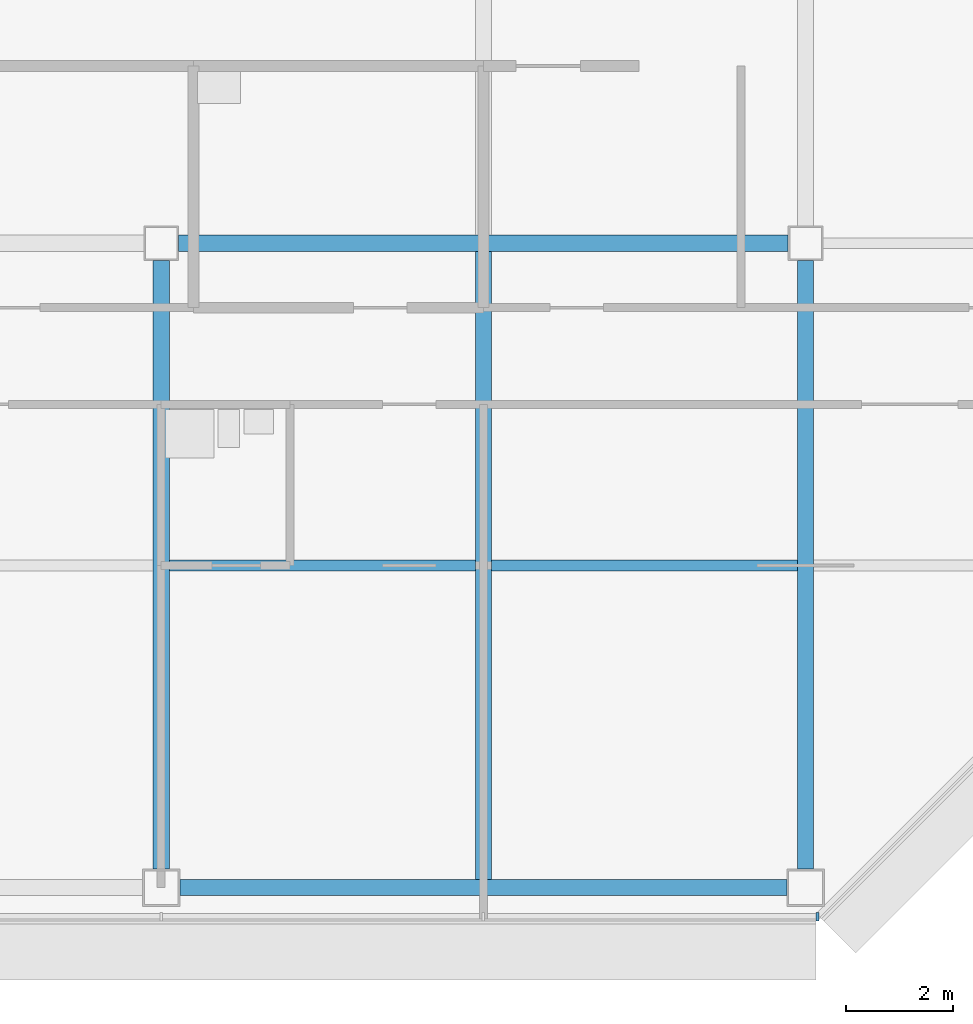
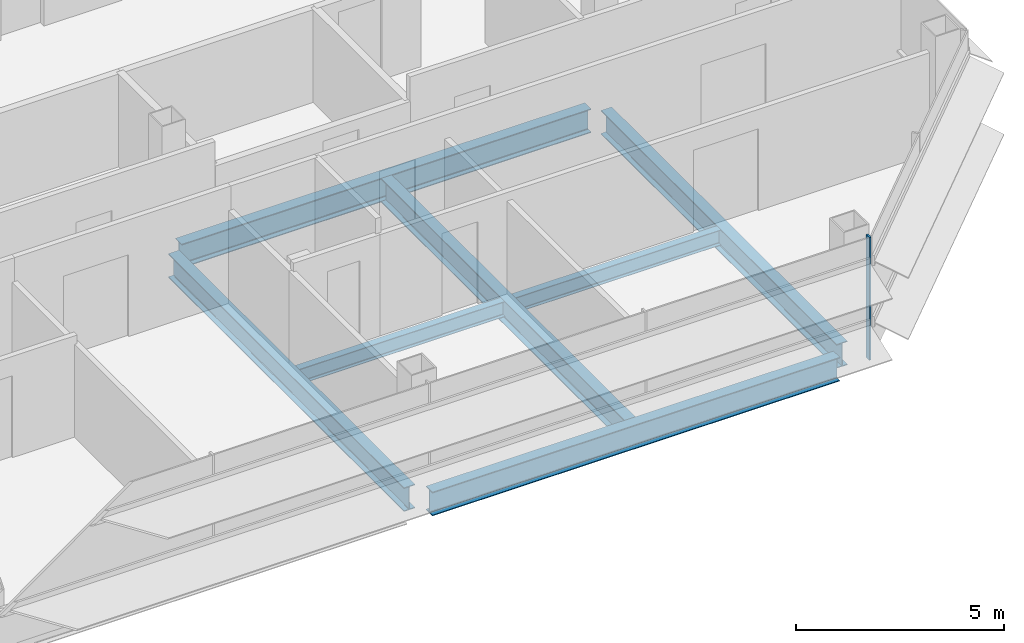
# One storey, part 9 of 27: 7 beams, 1 member, 1 element without a shape of its own.
"""IFC4 building model written with IfcOpenShell, lengths in metres."""

from ifc_helpers import new_model, si_unit, direction, frame, origin, origin_2d, place, context, subcontext, project, spatial, rectangle, i_section, extrude, material, material_profile, profile_set, type_object, element, aggregate, save


model = new_model("IFC4")

# Units and contexts
model_context = context("Model", 3, precision=1e-05, world=origin(), true_north=direction((0.0, 1.0)))
body_context = subcontext(model_context, "Body", "Model", "MODEL_VIEW")
ifc_project = project(units=[si_unit("LENGTHUNIT", "METRE"), si_unit("AREAUNIT", "SQUARE_METRE"), si_unit("VOLUMEUNIT", "CUBIC_METRE"), si_unit("PLANEANGLEUNIT", "RADIAN"), si_unit("MASSUNIT", "GRAM", prefix="KILO")], contexts=[model_context])

# Site, building, storey
site_placement = place(None, origin())
site = spatial("IfcSite", under=ifc_project, at=site_placement, CompositionType="ELEMENT")
building_placement = place(site_placement, origin())
building = spatial("IfcBuilding", under=site, at=building_placement, Name="Sorahane Residences", CompositionType="ELEMENT")
storey_placement = place(building_placement, frame((0.0, 0.0, 195.60009765625)))
storey = spatial("IfcBuildingStorey", under=building, at=storey_placement, Name="L45", CompositionType="ELEMENT", Elevation=195.60009765625)

# Curtain wall, member
ifc_material_1 = material(Name="Dark low-e glass and black anodised aluminium", Category="aluminium")
curtain_wall_type = type_object("IfcCurtainWallType", Name="Curtain wall CW-1 Typical unitised wall", PredefinedType="NOTDEFINED", material=ifc_material_1)
curtain_wall_placement = place(storey_placement, origin())
curtain_wall = element("IfcCurtainWall", 1, at=curtain_wall_placement, inside=storey, type_object=curtain_wall_type, Name="CW-1 curtain wall L45 S1", PredefinedType="NOTDEFINED")
ifc_material_2 = material(Name="Black anodised aluminium", Category="aluminium")
ifc_material_profile_1 = material_profile(ifc_material_2, rectangle(XDim=0.159912109375, YDim=0.050048828125, at=origin_2d()), Name="Curtain wall mullion CW-1 black anodised aluminium 50x160")
ifc_profile_set_1 = profile_set([ifc_material_profile_1], Name="Black anodised aluminium")
member_type = type_object("IfcMemberType", Name="Curtain wall mullion CW-1 black anodised aluminium 50x160", PredefinedType="MULLION", material=ifc_profile_set_1)
member_placement = place(storey_placement, frame((48.2236328125, -0.5400390625, -0.18017578125), z_axis=(0.0, 0.0, 1.0), x_axis=(0.0, -1.0, 0.0)))
member = element("IfcMember", 2, at=member_placement, type_object=member_type, Name="CW-1 mullion L45 S1.10", PredefinedType="MULLION", context=body_context, shape_type="SweptSolid", body=[
    extrude(rectangle(XDim=0.159912109375, YDim=0.050048828125, at=origin_2d()), origin(), (0.0, 0.0, 1.0), 3.60009765625),
])
aggregate(curtain_wall, [member])

# Beams
ifc_material_3 = material(Name="Steel Q355B", Category="steel")
ifc_material_profile_2 = material_profile(ifc_material_3, i_section(OverallWidth=0.199951171875, OverallDepth=0.449951171875, WebThickness=0.009033203125, FlangeThickness=0.013916015625, FilletRadius=0.02001953125, at=origin_2d()), Name="HN 450x200x9x14")
ifc_profile_set_2 = profile_set([ifc_material_profile_2], Name="Steel Q355B")
beam_type_1 = type_object("IfcBeamType", Name="Steel floor beam HN 450x200x9x14 Q355B", PredefinedType="BEAM", material=ifc_profile_set_2)
for number, where, z_axis, x_axis, name in (
    (3, (36.14990234375, 6.0, -0.405029296875), (1.0, 0.0, 0.0), (0.0, 1.0, 0.0), "Beam L45 075"),
    (4, (42.14990234375, 6.0, -0.405029296875), (1.0, 0.0, 0.0), (0.0, 1.0, 0.0), "Beam L45 076"),
):
    element("IfcBeam", number, at=place(storey_placement, frame(where, z_axis=z_axis, x_axis=x_axis)), inside=storey, type_object=beam_type_1, Name=name, PredefinedType="BEAM", context=body_context, shape_type="SweptSolid", body=[
        extrude(i_section(OverallWidth=0.199951171875, OverallDepth=0.449951171875, WebThickness=0.009033203125, FlangeThickness=0.013916015625, FilletRadius=0.02001953125, at=origin_2d()), origin(), (0.0, 0.0, 1.0), 5.7001953125),
    ])
ifc_material_4 = material(Name="Steel Q355B", Category="steel")
ifc_material_profile_3 = material_profile(ifc_material_4, i_section(OverallWidth=0.300048828125, OverallDepth=0.699951171875, WebThickness=0.012939453125, FlangeThickness=0.02392578125, FilletRadius=0.028076171875, at=origin_2d()), Name="HN 700x300x13x24")
ifc_profile_set_3 = profile_set([ifc_material_profile_3], Name="Steel Q355B")
beam_type_2 = type_object("IfcBeamType", Name="Steel floor beam HN 700x300x13x24 Q355B", PredefinedType="BEAM", material=ifc_profile_set_3)
beam_1_placement = place(storey_placement, frame((36.35009765625, 0.0, -0.530029296875), z_axis=(1.0, 0.0, 0.0), x_axis=(0.0, 1.0, 0.0)))
element("IfcBeam", 5, at=beam_1_placement, inside=storey, type_object=beam_type_2, Name="Beam L45 004", PredefinedType="BEAM", context=body_context, shape_type="SweptSolid", body=[
    extrude(i_section(OverallWidth=0.300048828125, OverallDepth=0.699951171875, WebThickness=0.012939453125, FlangeThickness=0.02392578125, FilletRadius=0.028076171875, at=origin_2d()), origin(), (0.0, 0.0, 1.0), 11.2998046875),
])
beam_2_placement = place(storey_placement, frame((36.324951171875, 12.0, -0.530029296875), z_axis=(1.0, 0.0, 0.0), x_axis=(0.0, 1.0, 0.0)))
element("IfcBeam", 6, at=beam_2_placement, inside=storey, type_object=beam_type_2, Name="Beam L45 009", PredefinedType="BEAM", context=body_context, shape_type="SweptSolid", body=[
    extrude(i_section(OverallWidth=0.300048828125, OverallDepth=0.699951171875, WebThickness=0.012939453125, FlangeThickness=0.02392578125, FilletRadius=0.028076171875, at=origin_2d()), origin(), (0.0, 0.0, 1.0), 11.35009765625),
])
beam_3_placement = place(storey_placement, frame((36.0, 0.35009765625, -0.530029296875), z_axis=(0.0, 1.0, 0.0), x_axis=(-1.0, 0.0, 0.0)))
element("IfcBeam", 7, at=beam_3_placement, inside=storey, type_object=beam_type_2, Name="Beam L45 050", PredefinedType="BEAM", context=body_context, shape_type="SweptSolid", body=[
    extrude(i_section(OverallWidth=0.300048828125, OverallDepth=0.699951171875, WebThickness=0.012939453125, FlangeThickness=0.02392578125, FilletRadius=0.028076171875, at=origin_2d()), origin(), (0.0, 0.0, 1.0), 11.324951171875),
])
beam_4_placement = place(storey_placement, frame((42.0, 0.14990234375, -0.530029296875), z_axis=(0.0, 1.0, 0.0), x_axis=(-1.0, 0.0, 0.0)))
element("IfcBeam", 8, at=beam_4_placement, inside=storey, type_object=beam_type_2, Name="Beam L45 052", PredefinedType="BEAM", context=body_context, shape_type="SweptSolid", body=[
    extrude(i_section(OverallWidth=0.300048828125, OverallDepth=0.699951171875, WebThickness=0.012939453125, FlangeThickness=0.02392578125, FilletRadius=0.028076171875, at=origin_2d()), origin(), (0.0, 0.0, 1.0), 11.7001953125),
])
beam_5_placement = place(storey_placement, frame((48.0, 0.35009765625, -0.530029296875), z_axis=(0.0, 1.0, 0.0), x_axis=(-1.0, 0.0, 0.0)))
element("IfcBeam", 9, at=beam_5_placement, inside=storey, type_object=beam_type_2, Name="Beam L45 058", PredefinedType="BEAM", context=body_context, shape_type="SweptSolid", body=[
    extrude(i_section(OverallWidth=0.300048828125, OverallDepth=0.699951171875, WebThickness=0.012939453125, FlangeThickness=0.02392578125, FilletRadius=0.028076171875, at=origin_2d()), origin(), (0.0, 0.0, 1.0), 11.324951171875),
])

save(model, "model.ifc")
